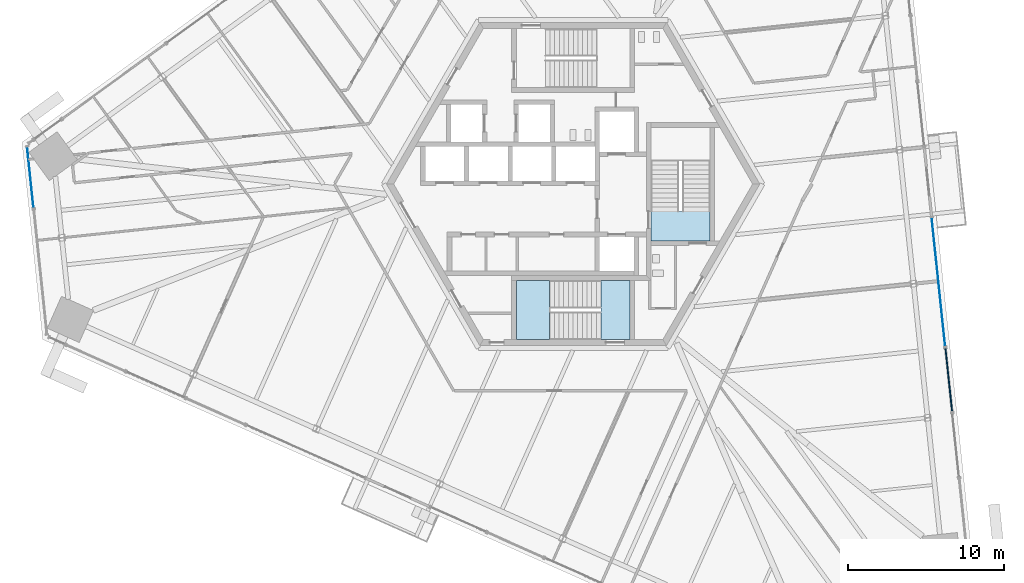
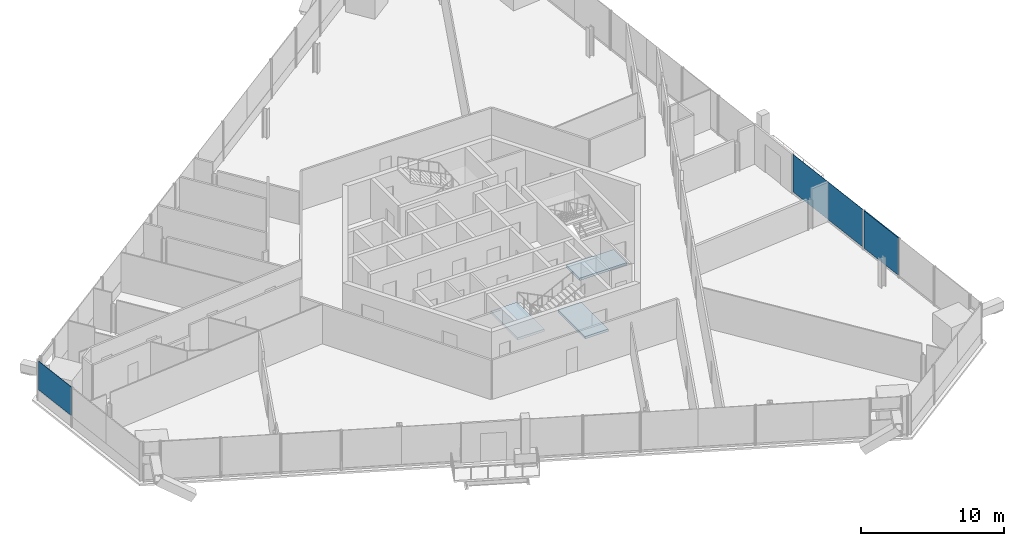
# One storey, part 14 of 25: 4 plates, 3 slabs, 5 elements without a shape of their own.
"""IFC4 building model written with IfcOpenShell, lengths in metres."""

from ifc_helpers import new_model, si_unit, direction, frame, origin, origin_2d, place, context, subcontext, project, spatial, polyline, rectangle, outline, extrude, source, transform, mapped, material, layer, layer_set, type_object, element, aggregate, save


model = new_model("IFC4")

# Units and contexts
model_context = context("Model", 3, precision=1e-05, world=origin(), true_north=direction((0.0, 1.0)))
body_context = subcontext(model_context, "Body", "Model", "MODEL_VIEW")
ifc_project = project(units=[si_unit("LENGTHUNIT", "METRE"), si_unit("AREAUNIT", "SQUARE_METRE"), si_unit("VOLUMEUNIT", "CUBIC_METRE"), si_unit("PLANEANGLEUNIT", "RADIAN"), si_unit("MASSUNIT", "GRAM", prefix="KILO")], contexts=[model_context])

# Site, building, storey
site_placement = place(None, origin())
site = spatial("IfcSite", under=ifc_project, at=site_placement, CompositionType="ELEMENT")
building_placement = place(site_placement, origin())
building = spatial("IfcBuilding", under=site, at=building_placement, Name="Triune Harvest Tower", CompositionType="ELEMENT")
storey_placement = place(building_placement, frame((0.0, 0.0, 90.89990234375)))
storey = spatial("IfcBuildingStorey", under=building, at=storey_placement, Name="L22", CompositionType="ELEMENT", Elevation=90.89990234375)

# Stair, slabs
ifc_material_1 = material(Name="Concrete 40 MPa", Category="concrete")
stair_type = type_object("IfcStairType", Name="Exit stair 1800 half turn", PredefinedType="HALF_TURN_STAIR", material=ifc_material_1)
stair_1_placement = place(storey_placement, origin())
stair_1 = element("IfcStair", 1, at=stair_1_placement, inside=storey, type_object=stair_type, Name="Exit stair south", PredefinedType="HALF_TURN_STAIR")
ifc_material_2 = material(Name="Concrete 40 MPa", Category="concrete")
ifc_layer_1 = layer(ifc_material_2, 0.199951171875)
ifc_layer_set_1 = layer_set([ifc_layer_1], Name="Concrete 40 MPa")
slab_type = type_object("IfcSlabType", Name="Stair landing 200", PredefinedType="LANDING", material=ifc_layer_set_1)
shared_shape_1 = source(origin(), body_context, "Body", "SweptSolid", [
    extrude(outline(polyline([(-1.510009765625, -6.18994140625), (-3.64990234375, -6.18994140625), (-3.64990234375, -9.989990234375), (-1.510009765625, -9.989990234375), (-1.510009765625, -6.18994140625)])), origin(), (0.0, 0.0, 1.0), 0.199951171875),
])
slab_1_placement = place(storey_placement, frame((0.0, 0.0, 1.60009765625)))
slab_1 = element("IfcSlab", 2, at=slab_1_placement, type_object=slab_type, Name="ST-2 landing 2", PredefinedType="LANDING", context=body_context, shape_type="MappedRepresentation", body=[
    mapped(shared_shape_1, transform((0.0, 0.0, 0.0), scale=1.0)),
])
shared_shape_2 = source(origin(), body_context, "Body", "SweptSolid", [
    extrude(outline(polyline([(3.64990234375, -6.18994140625), (1.780029296875, -6.18994140625), (1.780029296875, -9.989990234375), (3.64990234375, -9.989990234375), (3.64990234375, -6.18994140625)])), origin(), (0.0, 0.0, 1.0), 0.199951171875),
])
slab_2_placement = place(storey_placement, frame((0.0, 0.0, -0.199951171875)))
slab_2 = element("IfcSlab", 3, at=slab_2_placement, type_object=slab_type, Name="ST-2 landing 1", PredefinedType="LANDING", context=body_context, shape_type="MappedRepresentation", body=[
    mapped(shared_shape_2, transform((0.0, 0.0, 0.0), scale=1.0)),
])
aggregate(stair_1, [slab_2, slab_1])

# Stair, slab
stair_2_placement = place(storey_placement, origin())
stair_2 = element("IfcStair", 4, at=stair_2_placement, inside=storey, type_object=stair_type, Name="Exit stair east", PredefinedType="HALF_TURN_STAIR")
shared_shape_3 = source(origin(), body_context, "Body", "SweptSolid", [
    extrude(outline(polyline([(8.800048828125, -3.64990234375), (8.800048828125, -1.780029296875), (5.0, -1.780029296875), (5.0, -3.64990234375), (8.800048828125, -3.64990234375)])), origin(), (0.0, 0.0, 1.0), 0.199951171875),
])
slab_3_placement = place(storey_placement, frame((0.0, 0.0, -0.199951171875)))
slab_3 = element("IfcSlab", 5, at=slab_3_placement, type_object=slab_type, Name="ST-3 landing 1", PredefinedType="LANDING", context=body_context, shape_type="MappedRepresentation", body=[
    mapped(shared_shape_3, transform((0.0, 0.0, 0.0), scale=1.0)),
])
aggregate(stair_2, [slab_3])

# Curtain wall, plate
ifc_material_3 = material(Name="Aluminium bronze anodised", Category="aluminium")
curtain_wall_type_1 = type_object("IfcCurtainWallType", Name="CW-10 Balcony window wall with insulated spandrel infill", PredefinedType="NOTDEFINED", material=ifc_material_3)
curtain_wall_1_placement = place(storey_placement, origin())
curtain_wall_1 = element("IfcCurtainWall", 6, at=curtain_wall_1_placement, inside=storey, type_object=curtain_wall_type_1, Name="CW-10 B2-F1 L22 run 2201")
ifc_material_4 = material(Name="Insulated spandrel panel, bronze aluminium pan", Category="aluminium")
ifc_layer_2 = layer(ifc_material_4, 0.080078125)
ifc_layer_set_2 = layer_set([ifc_layer_2], Name="Insulated spandrel panel, bronze aluminium pan")
plate_type_1 = type_object("IfcPlateType", Name="SP-1 insulated spandrel panel 80", PredefinedType="CURTAIN_PANEL", material=ifc_layer_set_2)
shared_shape_4 = source(origin(), body_context, "Body", "SweptSolid", [
    extrude(rectangle(XDim=4.0732421875, YDim=0.080078125, at=origin_2d()), origin(), (0.0, 0.0, 1.0), 3.199951171875),
])
plate_1_placement = place(storey_placement, frame((24.14599609375, -12.588623046875, 0.14990234375), z_axis=(0.0, 0.0, 1.0), x_axis=(-0.104519613137, 0.994522825515, 0.0)))
plate_1 = element("IfcPlate", 7, at=plate_1_placement, type_object=plate_type_1, Name="CW-10 panel B2-F1 2201.1", PredefinedType="CURTAIN_PANEL", context=body_context, shape_type="MappedRepresentation", body=[
    mapped(shared_shape_4, transform((0.0, 0.0, 0.0), scale=1.0)),
])
aggregate(curtain_wall_1, [plate_1])

# Curtain wall, plates
ifc_material_5 = material(Name="Aluminium bronze anodised", Category="aluminium")
curtain_wall_type_2 = type_object("IfcCurtainWallType", Name="CW-6 Balcony window wall", PredefinedType="NOTDEFINED", material=ifc_material_5)
curtain_wall_2_placement = place(storey_placement, origin())
curtain_wall_2 = element("IfcCurtainWall", 8, at=curtain_wall_2_placement, inside=storey, type_object=curtain_wall_type_2, Name="CW-6 B2-F1 L22 run 3201")
ifc_material_6 = material(Name="Glass", Category="glass")
ifc_layer_3 = layer(ifc_material_6, 0.030029296875)
ifc_layer_set_3 = layer_set([ifc_layer_3], Name="Glass")
plate_type_2 = type_object("IfcPlateType", Name="GL-6 panel 30", PredefinedType="CURTAIN_PANEL", material=ifc_layer_set_3)
shared_shape_5 = source(origin(), body_context, "Body", "SweptSolid", [
    extrude(rectangle(XDim=4.148193359375, YDim=0.030029296875, at=origin_2d()), origin(), (0.0, 0.0, 1.0), 3.199951171875),
])
plate_2_placement = place(storey_placement, frame((23.700439453125, -8.351318359375, 0.14990234375), z_axis=(0.0, 0.0, 1.0), x_axis=(-0.104528861748, 0.994521853486, 0.0)))
plate_2 = element("IfcPlate", 9, at=plate_2_placement, type_object=plate_type_2, Name="CW-6 panel B2-F1 3201.1", PredefinedType="CURTAIN_PANEL", context=body_context, shape_type="MappedRepresentation", body=[
    mapped(shared_shape_5, transform((0.0, 0.0, 0.0), scale=1.0)),
])
plate_3_placement = place(storey_placement, frame((23.266845703125, -4.225830078125, 0.14990234375), z_axis=(0.0, 0.0, 1.0), x_axis=(-0.104528861748, 0.994521853486, 0.0)))
plate_3 = element("IfcPlate", 10, at=plate_3_placement, type_object=plate_type_2, Name="CW-6 panel B2-F1 3201.2", PredefinedType="CURTAIN_PANEL", context=body_context, shape_type="MappedRepresentation", body=[
    mapped(shared_shape_5, transform((0.0, 0.0, 0.0), scale=1.0)),
])
aggregate(curtain_wall_2, [plate_2, plate_3])

# Curtain wall, plate
ifc_material_7 = material(Name="Aluminium bronze anodised", Category="aluminium")
curtain_wall_type_3 = type_object("IfcCurtainWallType", Name="CW-1 Tower stick curtain wall", PredefinedType="NOTDEFINED", material=ifc_material_7)
curtain_wall_3_placement = place(storey_placement, origin())
curtain_wall_3 = element("IfcCurtainWall", 11, at=curtain_wall_3_placement, inside=storey, type_object=curtain_wall_type_3, Name="CW-1 B2-F4 L22 run 1")
ifc_material_8 = material(Name="Glass", Category="glass")
ifc_layer_4 = layer(ifc_material_8, 0.031982421875)
ifc_layer_set_4 = layer_set([ifc_layer_4], Name="Glass")
plate_type_3 = type_object("IfcPlateType", Name="GL-1 panel 32", PredefinedType="CURTAIN_PANEL", material=ifc_layer_set_4)
shared_shape_6 = source(origin(), body_context, "Body", "SweptSolid", [
    extrude(rectangle(XDim=3.92333984375, YDim=0.031982421875, at=origin_2d()), origin(), (0.0, 0.0, 1.0), 2.449951171875),
])
plate_4_placement = place(storey_placement, frame((-34.892578125, 0.428466796875, 0.89990234375), z_axis=(0.0, 0.0, 1.0), x_axis=(0.104529753221, -0.994521759788, 0.0)))
plate_4 = element("IfcPlate", 12, at=plate_4_placement, type_object=plate_type_3, Name="CW-1 panel B2-F4 1.1", PredefinedType="CURTAIN_PANEL", context=body_context, shape_type="MappedRepresentation", body=[
    mapped(shared_shape_6, transform((0.0, 0.0, 0.0), scale=1.0)),
])
aggregate(curtain_wall_3, [plate_4])

save(model, "model.ifc")
